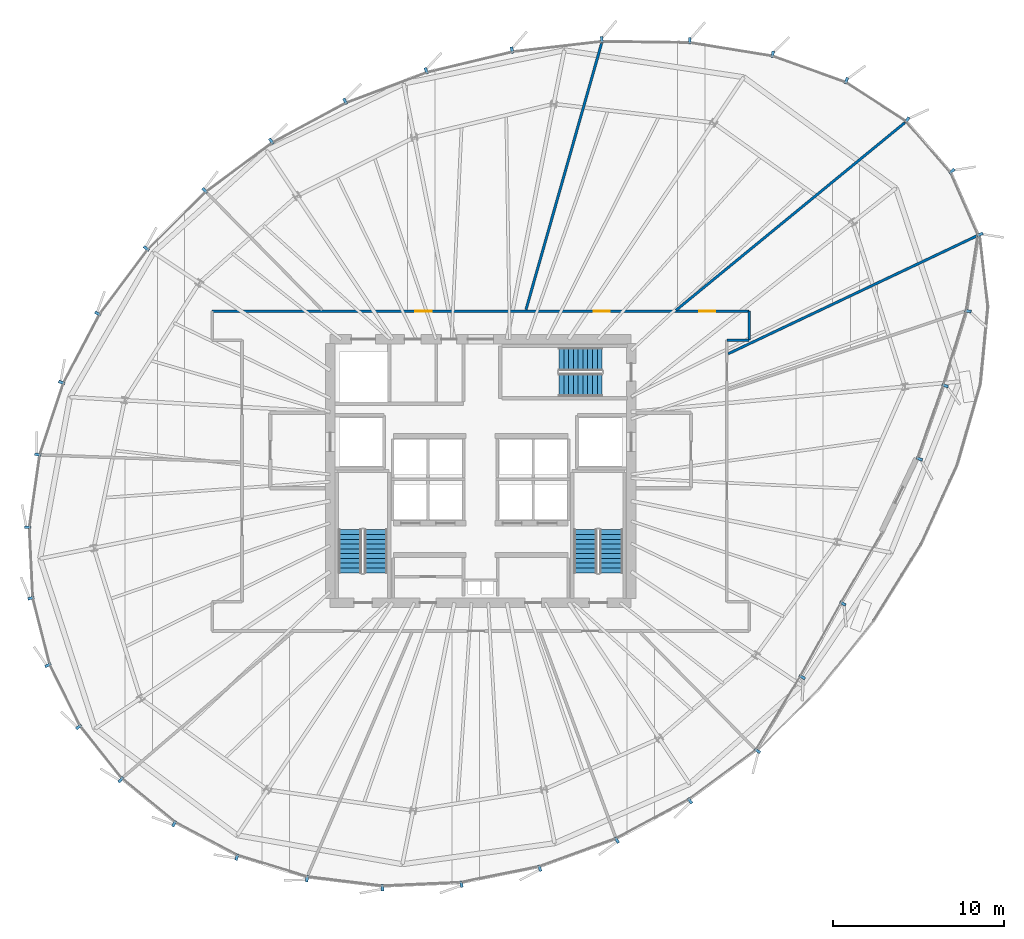
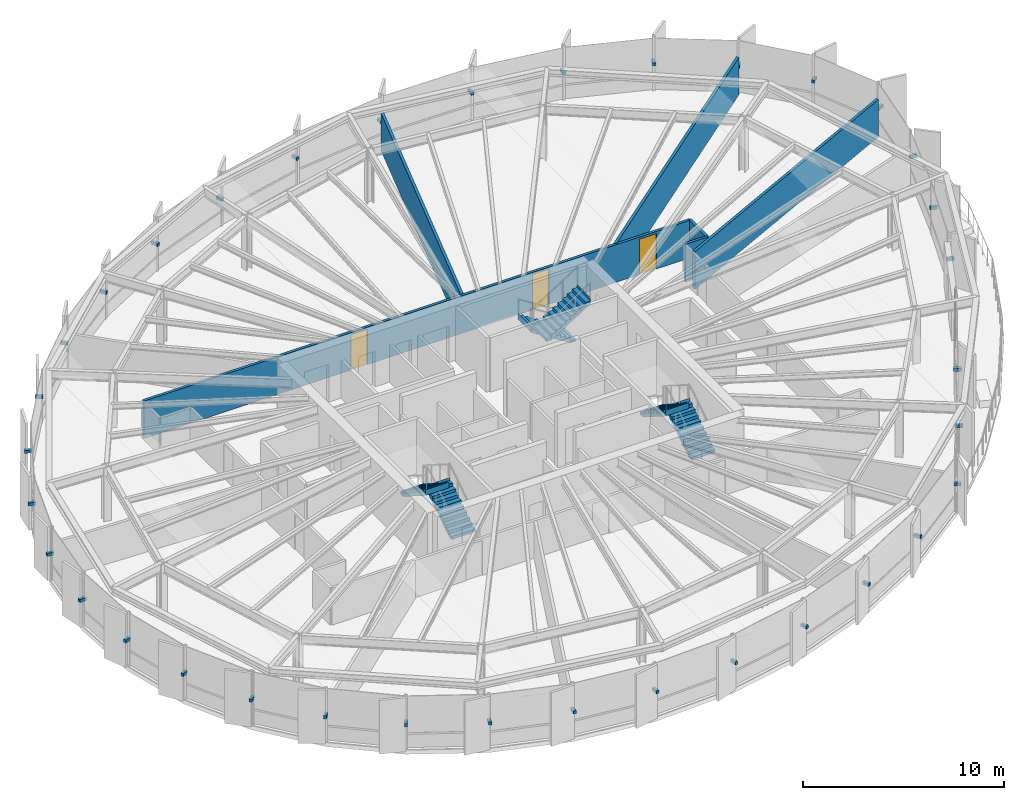
# One storey, part 32 of 36: 35 discrete accessories, 6 stair flights, 6 walls, 3 doors, 3 openings, 3 elements without a shape of their own.
"""IFC4 building model written with IfcOpenShell, lengths in metres."""

from ifc_helpers import new_model, si_unit, direction, frame, frame_2d, origin, origin_2d, place, context, subcontext, project, spatial, polyline, rectangle, outline, extrude, source, transform, mapped, material, layer, layer_set, type_object, element, fill, aggregate, save


model = new_model("IFC4")

# Units and contexts
model_context = context("Model", 3, precision=1e-05, world=origin(), true_north=direction((0.0, 1.0)))
body_context = subcontext(model_context, "Body", "Model", "MODEL_VIEW")
ifc_project = project(units=[si_unit("LENGTHUNIT", "METRE"), si_unit("AREAUNIT", "SQUARE_METRE"), si_unit("VOLUMEUNIT", "CUBIC_METRE"), si_unit("PLANEANGLEUNIT", "RADIAN"), si_unit("MASSUNIT", "GRAM", prefix="KILO"), si_unit("THERMODYNAMICTEMPERATUREUNIT", "KELVIN")], contexts=[model_context])

# Site, building, storey
site_placement = place(None, origin())
site = spatial("IfcSite", under=ifc_project, at=site_placement, CompositionType="ELEMENT")
building_placement = place(site_placement, origin())
building = spatial("IfcBuilding", under=site, at=building_placement, Name="Kethvar Cultural Tower", CompositionType="ELEMENT")
storey_placement = place(building_placement, frame((0.0, 0.0, 164.300048828125)))
storey = spatial("IfcBuildingStorey", under=building, at=storey_placement, Name="L42", CompositionType="ELEMENT", Elevation=164.300048828125)

# Walls
ifc_material_1 = material(Name="Gypsum Fireboard Partition")
ifc_layer_1 = layer(ifc_material_1, 0.14990234375, Name="Gypsum Fireboard Partition")
ifc_layer_set_1 = layer_set([ifc_layer_1], Name="Gypsum Fireboard Partition (150 mm)")
wall_type_1 = type_object("IfcWallType", Name="WL-FIRE-150", PredefinedType="PARTITIONING", material=ifc_layer_set_1)
wall_1_placement = place(storey_placement, frame((61.199951171875, 35.449951171875, 0.0), z_axis=(0.0, 0.0, 1.0), x_axis=(1.0, 0.0, 0.0)))
element("IfcWall", 1, at=wall_1_placement, inside=storey, type_object=wall_type_1, Name="L42 Corridor Rated Wall ENT", PredefinedType="PARTITIONING", context=body_context, shape_type="SweptSolid", body=[
    extrude(rectangle(XDim=1.300048828125, YDim=0.14990234375, at=frame_2d((0.64990234375, 0.0))), origin(), (0.0, 0.0, 1.0), 2.280029296875),
])
wall_2_placement = place(storey_placement, frame((62.5, 35.449951171875, 0.0), z_axis=(0.0, 0.0, 1.0), x_axis=(0.0, 1.0, 0.0)))
element("IfcWall", 2, at=wall_2_placement, inside=storey, type_object=wall_type_1, Name="L42 Corridor Rated Wall EN", PredefinedType="PARTITIONING", context=body_context, shape_type="SweptSolid", body=[
    extrude(rectangle(XDim=1.699951171875, YDim=0.14990234375, at=frame_2d((0.85009765625, 0.0))), origin(), (0.0, 0.0, 1.0), 2.280029296875),
])

# Wall, openings, doors
wall_3_placement = place(storey_placement, frame((62.5, 37.14990234375, 0.0), z_axis=(0.0, 0.0, 1.0), x_axis=(-1.0, 0.0, 0.0)))
wall_3 = element("IfcWall", 3, at=wall_3_placement, inside=storey, type_object=wall_type_1, Name="L42 Corridor Rated Wall N", PredefinedType="PARTITIONING", context=body_context, shape_type="SweptSolid", body=[
    extrude(rectangle(XDim=31.39990234375, YDim=0.14990234375, at=frame_2d((15.699951171875, 0.0))), origin(), (0.0, 0.0, 1.0), 2.280029296875),
])
opening_1_placement = place(wall_3_placement, frame((1.984130859375, 0.0, 0.0)))
opening_1 = element("IfcOpeningElement", 4, at=opening_1_placement, cuts=wall_3, Name="Opening D-L42-06", PredefinedType="OPENING", context=body_context, shape_type="SweptSolid", body=[
    extrude(rectangle(XDim=0.949951171875, YDim=2.14990234375, at=frame_2d((0.47509765625, 1.074951171875))), frame((0.0, 0.0849609375, 0.0), z_axis=(0.0, -1.0, 0.0), x_axis=(1.0, 0.0, 0.0)), (0.0, 0.0, 1.0), 0.169921875),
])
opening_2_placement = place(wall_3_placement, frame((8.149658203125, 0.0, 0.0)))
opening_2 = element("IfcOpeningElement", 5, at=opening_2_placement, cuts=wall_3, Name="Opening D-L42-07", PredefinedType="OPENING", context=body_context, shape_type="SweptSolid", body=[
    extrude(rectangle(XDim=0.949951171875, YDim=2.14990234375, at=frame_2d((0.47509765625, 1.074951171875))), frame((0.0, 0.0849609375, 0.0), z_axis=(0.0, -1.0, 0.0), x_axis=(1.0, 0.0, 0.0)), (0.0, 0.0, 1.0), 0.169921875),
])
opening_3_placement = place(wall_3_placement, frame((18.562255859375, 0.0, 0.0)))
opening_3 = element("IfcOpeningElement", 6, at=opening_3_placement, cuts=wall_3, Name="Opening D-L42-08", PredefinedType="OPENING", context=body_context, shape_type="SweptSolid", body=[
    extrude(rectangle(XDim=0.949951171875, YDim=2.14990234375, at=frame_2d((0.47509765625, 1.074951171875))), frame((0.0, 0.0849609375, 0.0), z_axis=(0.0, -1.0, 0.0), x_axis=(1.0, 0.0, 0.0)), (0.0, 0.0, 1.0), 0.169921875),
])
ifc_material_2 = material(Name="Architectural Oak Timber", Category="wood")
door_type = type_object("IfcDoorType", Name="DR-FD30-950", OperationType="NOTDEFINED", PredefinedType="DOOR", material=ifc_material_2)
shared_shape_1 = source(origin(), body_context, "Body", "SweptSolid", [
    extrude(rectangle(XDim=0.949951171875, YDim=2.14990234375, at=frame_2d((0.47509765625, 1.074951171875))), frame((0.0, 0.02490234375, 0.0), z_axis=(0.0, -1.0, 0.0), x_axis=(1.0, 0.0, 0.0)), (0.0, 0.0, 1.0), 0.050048828125),
])
door_1_placement = place(opening_1_placement, origin())
door_1 = element("IfcDoor", 7, at=door_1_placement, inside=storey, type_object=door_type, Name="L42 Staff Tea Pantry 06 Door", OperationType="SINGLE_SWING_RIGHT", OverallHeight=2.14990234375, OverallWidth=0.949951171875, PredefinedType="DOOR", context=body_context, shape_type="MappedRepresentation", body=[
    mapped(shared_shape_1, transform((0.0, 0.0, 0.0), scale=1.0)),
])
fill(opening_1, door_1)
door_2_placement = place(opening_2_placement, origin())
door_2 = element("IfcDoor", 8, at=door_2_placement, inside=storey, type_object=door_type, Name="L42 Publication Archive Store 07 Door", OperationType="SINGLE_SWING_LEFT", OverallHeight=2.14990234375, OverallWidth=0.949951171875, PredefinedType="DOOR", context=body_context, shape_type="MappedRepresentation", body=[
    mapped(shared_shape_1, transform((0.0, 0.0, 0.0), scale=1.0)),
])
fill(opening_2, door_2)
door_3_placement = place(opening_3_placement, origin())
door_3 = element("IfcDoor", 9, at=door_3_placement, inside=storey, type_object=door_type, Name="L42 Cultural Lecture Room 08 Door", OperationType="SINGLE_SWING_RIGHT", OverallHeight=2.14990234375, OverallWidth=0.949951171875, PredefinedType="DOOR", context=body_context, shape_type="MappedRepresentation", body=[
    mapped(shared_shape_1, transform((0.0, 0.0, 0.0), scale=1.0)),
])
fill(opening_3, door_3)

# Walls
ifc_material_3 = material(Name="Gypsum Acoustic Partition")
ifc_layer_2 = layer(ifc_material_3, 0.14990234375, Name="Gypsum Acoustic Partition")
ifc_layer_set_2 = layer_set([ifc_layer_2], Name="Gypsum Acoustic Partition (150 mm)")
wall_type_2 = type_object("IfcWallType", Name="WL-PART-150", PredefinedType="PARTITIONING", material=ifc_layer_set_2)
wall_4_placement = place(storey_placement, frame((61.272216796875, 34.65576171875, 0.0), z_axis=(0.0, 0.0, 1.0), x_axis=(0.903643729572, 0.428284963552, 0.0)))
element("IfcWall", 10, at=wall_4_placement, inside=storey, type_object=wall_type_2, Name="L42 Radial Partition Wall 06", PredefinedType="PARTITIONING", context=body_context, shape_type="SweptSolid", body=[
    extrude(rectangle(XDim=16.06201171875, YDim=0.14990234375, at=frame_2d((8.031005859375, 0.0))), origin(), (0.0, 0.0, 1.0), 2.280029296875),
])
wall_5_placement = place(storey_placement, frame((58.2236328125, 37.20068359375, 0.0), z_axis=(0.0, 0.0, 1.0), x_axis=(0.773366110677, 0.633959666585, 0.0)))
element("IfcWall", 11, at=wall_5_placement, inside=storey, type_object=wall_type_2, Name="L42 Radial Partition Wall 07", PredefinedType="PARTITIONING", context=body_context, shape_type="SweptSolid", body=[
    extrude(rectangle(XDim=17.286865234375, YDim=0.14990234375, at=frame_2d((8.6435546875, 0.0))), origin(), (0.0, 0.0, 1.0), 2.280029296875),
])
wall_6_placement = place(storey_placement, frame((49.449951171875, 37.22705078125, 0.0), z_axis=(0.0, 0.0, 1.0), x_axis=(0.273047629531, 0.962000515596, 0.0)))
element("IfcWall", 12, at=wall_6_placement, inside=storey, type_object=wall_type_2, Name="L42 Radial Partition Wall 08", PredefinedType="PARTITIONING", context=body_context, shape_type="SweptSolid", body=[
    extrude(rectangle(XDim=16.189208984375, YDim=0.14990234375, at=frame_2d((8.0947265625, 0.0))), origin(), (0.0, 0.0, 1.0), 2.280029296875),
])

# Stair, stair flights
ifc_material_4 = material(Name="Concrete C40/50", Category="concrete")
stair_type = type_object("IfcStairType", Name="ST-DOGLEG-135", PredefinedType="HALF_TURN_STAIR", material=ifc_material_4)
stair_1_placement = place(storey_placement, origin())
stair_1 = element("IfcStair", 13, at=stair_1_placement, inside=storey, type_object=stair_type, Name="L42 Core Exit Stair 1", PredefinedType="HALF_TURN_STAIR")
stair_flight_type = type_object("IfcStairFlightType", Name="FL-STRAIGHT-135", PredefinedType="STRAIGHT", material=ifc_material_4)
stair_flight_1_placement = place(storey_placement, frame((40.675048828125, 21.85009765625, 0.0), z_axis=(0.0, 0.0, 1.0), x_axis=(0.0, 1.0, 0.0)))
stair_flight_1 = element("IfcStairFlight", 14, at=stair_flight_1_placement, type_object=stair_flight_type, Name="ST-01 flight 1", NumberOfRisers=10, NumberOfTreads=9, PredefinedType="STRAIGHT", RiserHeight=0.1775, TreadLength=0.28, context=body_context, shape_type="SweptSolid", body=[
    extrude(outline(polyline([(-0.0009765625, -0.0009765625), (-0.0009765625, 0.177490234375), (0.280029296875, 0.177490234375), (0.280029296875, 0.35498046875), (0.56005859375, 0.35498046875), (0.56005859375, 0.532470703125), (0.840087890625, 0.532470703125), (0.840087890625, 0.7099609375), (1.1201171875, 0.7099609375), (1.1201171875, 0.887451171875), (1.39990234375, 0.887451171875), (1.39990234375, 1.06494140625), (1.679931640625, 1.06494140625), (1.679931640625, 1.242431640625), (1.9599609375, 1.242431640625), (1.9599609375, 1.419921875), (2.239990234375, 1.419921875), (2.239990234375, 1.597412109375), (2.52001953125, 1.597412109375), (2.52001953125, 1.77490234375), (2.52099609375, 1.77490234375), (2.52099609375, 1.419921875), (0.280029296875, 0.0), (0.0, -0.0009765625), (-0.0009765625, -0.0009765625)])), frame((0.0, 0.675048828125, 0.0), z_axis=(0.0, -1.0, 0.0), x_axis=(1.0, 0.0, 0.0)), (0.0, 0.0, 1.0), 1.35009765625),
])
stair_flight_2_placement = place(storey_placement, frame((39.1650390625, 24.3701171875, 1.77490234375), z_axis=(0.0, 0.0, 1.0), x_axis=(0.0, -1.0, 0.0)))
stair_flight_2 = element("IfcStairFlight", 15, at=stair_flight_2_placement, type_object=stair_flight_type, Name="ST-01 flight 2", NumberOfRisers=10, NumberOfTreads=9, PredefinedType="STRAIGHT", RiserHeight=0.1775, TreadLength=0.28, context=body_context, shape_type="SweptSolid", body=[
    extrude(outline(polyline([(-0.0009765625, -0.0009765625), (-0.0009765625, 0.177490234375), (0.280029296875, 0.177490234375), (0.280029296875, 0.35498046875), (0.56005859375, 0.35498046875), (0.56005859375, 0.532470703125), (0.840087890625, 0.532470703125), (0.840087890625, 0.7099609375), (1.1201171875, 0.7099609375), (1.1201171875, 0.887451171875), (1.39990234375, 0.887451171875), (1.39990234375, 1.06494140625), (1.679931640625, 1.06494140625), (1.679931640625, 1.242431640625), (1.9599609375, 1.242431640625), (1.9599609375, 1.419921875), (2.239990234375, 1.419921875), (2.239990234375, 1.597412109375), (2.52001953125, 1.597412109375), (2.52001953125, 1.77490234375), (2.52099609375, 1.77490234375), (2.52099609375, 1.419921875), (0.280029296875, 0.0), (0.0, -0.0009765625), (-0.0009765625, -0.0009765625)])), frame((0.0, 0.675048828125, 0.0), z_axis=(0.0, -1.0, 0.0), x_axis=(1.0, 0.0, 0.0)), (0.0, 0.0, 1.0), 1.35009765625),
])
aggregate(stair_1, [stair_flight_1, stair_flight_2])

stair_2_placement = place(storey_placement, origin())
stair_2 = element("IfcStair", 16, at=stair_2_placement, inside=storey, type_object=stair_type, Name="L42 Core Exit Stair 2", PredefinedType="HALF_TURN_STAIR")
stair_flight_3_placement = place(storey_placement, frame((54.43505859375, 21.85009765625, 0.0), z_axis=(0.0, 0.0, 1.0), x_axis=(0.0, 1.0, 0.0)))
stair_flight_3 = element("IfcStairFlight", 17, at=stair_flight_3_placement, type_object=stair_flight_type, Name="ST-02 flight 1", NumberOfRisers=10, NumberOfTreads=9, PredefinedType="STRAIGHT", RiserHeight=0.1775, TreadLength=0.28, context=body_context, shape_type="SweptSolid", body=[
    extrude(outline(polyline([(-0.0009765625, -0.0009765625), (-0.0009765625, 0.177490234375), (0.280029296875, 0.177490234375), (0.280029296875, 0.35498046875), (0.56005859375, 0.35498046875), (0.56005859375, 0.532470703125), (0.840087890625, 0.532470703125), (0.840087890625, 0.7099609375), (1.1201171875, 0.7099609375), (1.1201171875, 0.887451171875), (1.39990234375, 0.887451171875), (1.39990234375, 1.06494140625), (1.679931640625, 1.06494140625), (1.679931640625, 1.242431640625), (1.9599609375, 1.242431640625), (1.9599609375, 1.419921875), (2.239990234375, 1.419921875), (2.239990234375, 1.597412109375), (2.52001953125, 1.597412109375), (2.52001953125, 1.77490234375), (2.52099609375, 1.77490234375), (2.52099609375, 1.419921875), (0.280029296875, 0.0), (0.0, -0.0009765625), (-0.0009765625, -0.0009765625)])), frame((0.0, 0.675048828125, 0.0), z_axis=(0.0, -1.0, 0.0), x_axis=(1.0, 0.0, 0.0)), (0.0, 0.0, 1.0), 1.35009765625),
])
stair_flight_4_placement = place(storey_placement, frame((52.925048828125, 24.3701171875, 1.77490234375), z_axis=(0.0, 0.0, 1.0), x_axis=(0.0, -1.0, 0.0)))
stair_flight_4 = element("IfcStairFlight", 18, at=stair_flight_4_placement, type_object=stair_flight_type, Name="ST-02 flight 2", NumberOfRisers=10, NumberOfTreads=9, PredefinedType="STRAIGHT", RiserHeight=0.1775, TreadLength=0.28, context=body_context, shape_type="SweptSolid", body=[
    extrude(outline(polyline([(-0.0009765625, -0.0009765625), (-0.0009765625, 0.177490234375), (0.280029296875, 0.177490234375), (0.280029296875, 0.35498046875), (0.56005859375, 0.35498046875), (0.56005859375, 0.532470703125), (0.840087890625, 0.532470703125), (0.840087890625, 0.7099609375), (1.1201171875, 0.7099609375), (1.1201171875, 0.887451171875), (1.39990234375, 0.887451171875), (1.39990234375, 1.06494140625), (1.679931640625, 1.06494140625), (1.679931640625, 1.242431640625), (1.9599609375, 1.242431640625), (1.9599609375, 1.419921875), (2.239990234375, 1.419921875), (2.239990234375, 1.597412109375), (2.52001953125, 1.597412109375), (2.52001953125, 1.77490234375), (2.52099609375, 1.77490234375), (2.52099609375, 1.419921875), (0.280029296875, 0.0), (0.0, -0.0009765625), (-0.0009765625, -0.0009765625)])), frame((0.0, 0.675048828125, 0.0), z_axis=(0.0, -1.0, 0.0), x_axis=(1.0, 0.0, 0.0)), (0.0, 0.0, 1.0), 1.35009765625),
])
aggregate(stair_2, [stair_flight_3, stair_flight_4])

stair_3_placement = place(storey_placement, origin())
stair_3 = element("IfcStair", 19, at=stair_3_placement, inside=storey, type_object=stair_type, Name="L42 Core Exit Stair 3", PredefinedType="HALF_TURN_STAIR")
stair_flight_5_placement = place(storey_placement, frame((53.89990234375, 34.3349609375, 0.0), z_axis=(0.0, 0.0, 1.0), x_axis=(-1.0, 0.0, 0.0)))
stair_flight_5 = element("IfcStairFlight", 20, at=stair_flight_5_placement, type_object=stair_flight_type, Name="ST-03 flight 1", NumberOfRisers=10, NumberOfTreads=9, PredefinedType="STRAIGHT", RiserHeight=0.1775, TreadLength=0.28, context=body_context, shape_type="SweptSolid", body=[
    extrude(outline(polyline([(-0.0009765625, -0.0009765625), (-0.0009765625, 0.177490234375), (0.280029296875, 0.177490234375), (0.280029296875, 0.35498046875), (0.56005859375, 0.35498046875), (0.56005859375, 0.532470703125), (0.840087890625, 0.532470703125), (0.840087890625, 0.7099609375), (1.1201171875, 0.7099609375), (1.1201171875, 0.887451171875), (1.39990234375, 0.887451171875), (1.39990234375, 1.06494140625), (1.679931640625, 1.06494140625), (1.679931640625, 1.242431640625), (1.9599609375, 1.242431640625), (1.9599609375, 1.419921875), (2.239990234375, 1.419921875), (2.239990234375, 1.597412109375), (2.52001953125, 1.597412109375), (2.52001953125, 1.77490234375), (2.52099609375, 1.77490234375), (2.52099609375, 1.419921875), (0.280029296875, 0.0), (0.0, -0.0009765625), (-0.0009765625, -0.0009765625)])), frame((0.0, 0.675048828125, 0.0), z_axis=(0.0, -1.0, 0.0), x_axis=(1.0, 0.0, 0.0)), (0.0, 0.0, 1.0), 1.35009765625),
])
stair_flight_6_placement = place(storey_placement, frame((51.3798828125, 32.824951171875, 1.77490234375), z_axis=(0.0, 0.0, 1.0), x_axis=(1.0, 0.0, 0.0)))
stair_flight_6 = element("IfcStairFlight", 21, at=stair_flight_6_placement, type_object=stair_flight_type, Name="ST-03 flight 2", NumberOfRisers=10, NumberOfTreads=9, PredefinedType="STRAIGHT", RiserHeight=0.1775, TreadLength=0.28, context=body_context, shape_type="SweptSolid", body=[
    extrude(outline(polyline([(-0.0009765625, -0.0009765625), (-0.0009765625, 0.177490234375), (0.280029296875, 0.177490234375), (0.280029296875, 0.35498046875), (0.56005859375, 0.35498046875), (0.56005859375, 0.532470703125), (0.840087890625, 0.532470703125), (0.840087890625, 0.7099609375), (1.1201171875, 0.7099609375), (1.1201171875, 0.887451171875), (1.39990234375, 0.887451171875), (1.39990234375, 1.06494140625), (1.679931640625, 1.06494140625), (1.679931640625, 1.242431640625), (1.9599609375, 1.242431640625), (1.9599609375, 1.419921875), (2.239990234375, 1.419921875), (2.239990234375, 1.597412109375), (2.52001953125, 1.597412109375), (2.52001953125, 1.77490234375), (2.52099609375, 1.77490234375), (2.52099609375, 1.419921875), (0.280029296875, 0.0), (0.0, -0.0009765625), (-0.0009765625, -0.0009765625)])), frame((0.0, 0.675048828125, 0.0), z_axis=(0.0, -1.0, 0.0), x_axis=(1.0, 0.0, 0.0)), (0.0, 0.0, 1.0), 1.35009765625),
])
aggregate(stair_3, [stair_flight_5, stair_flight_6])

# Discrete accessories
ifc_material_5 = material(Name="Steel S355J2", Category="steel")
discrete_accessory_type = type_object("IfcDiscreteAccessoryType", Name="Steel Fin Bracket BRK-01", PredefinedType="BRACKET", material=ifc_material_5)
shared_shape_2 = source(origin(), body_context, "Body", "SweptSolid", [
    extrude(rectangle(XDim=0.3798828125, YDim=0.159912109375, at=origin_2d()), origin(), (0.0, 0.0, 1.0), 0.179931640625),
])
for number, where, z_axis, x_axis, name in (
    (22, (74.344970703125, 45.327880859375, 1.56005859375), (0.0, 0.0, 1.0), (0.754136773416, 0.656717387452, 0.0), "L42 Terracotta Fin Bracket 1.1"),
    (23, (71.735107421875, 48.32373046875, 1.56005859375), (0.0, 0.0, 1.0), (0.543320982988, 0.839525049921, 0.0), "L42 Terracotta Fin Bracket 1.2"),
    (24, (68.181640625, 50.623046875, 1.56005859375), (0.0, 0.0, 1.0), (0.336766602676, 0.941588155895, 0.0), "L42 Terracotta Fin Bracket 1.3"),
    (25, (63.875244140625, 52.16259765625, 1.56005859375), (0.0, 0.0, 1.0), (0.160225753504, 0.987080395872, 0.0), "L42 Terracotta Fin Bracket 1.4"),
    (26, (59.02978515625, 52.948974609375, 1.56005859375), (0.0, 0.0, 1.0), (0.013089595571, 0.999914327574, 0.0), "L42 Terracotta Fin Bracket 1.5"),
    (27, (53.8837890625, 53.016357421875, 1.56005859375), (0.0, 0.0, 1.0), (-0.114590390988, 0.993412825714, 0.0), "L42 Terracotta Fin Bracket 1.6"),
    (28, (48.638916015625, 52.40625, 1.56005859375), (0.0, 0.0, 1.0), (-0.233954463532, 0.972247555406, 0.0), "L42 Terracotta Fin Bracket 2.1"),
    (29, (43.621337890625, 51.19921875, 1.56005859375), (0.0, 0.0, 1.0), (-0.35282169456, 0.935690574842, 0.0), "L42 Terracotta Fin Bracket 2.2"),
    (30, (38.88330078125, 49.412353515625, 1.56005859375), (0.0, 0.0, 1.0), (-0.474856389871, 0.880063298291, 0.0), "L42 Terracotta Fin Bracket 2.3"),
    (31, (34.56298828125, 47.081298828125, 1.56005859375), (0.0, 0.0, 1.0), (-0.594822786751, 0.803856860617, 0.0), "L42 Terracotta Fin Bracket 2.4"),
    (32, (30.665283203125, 44.196533203125, 1.56005859375), (0.0, 0.0, 1.0), (-0.704510355776, 0.709693707598, 0.0), "L42 Terracotta Fin Bracket 2.5"),
    (33, (27.257568359375, 40.813720703125, 1.56005859375), (0.0, 0.0, 1.0), (-0.801984205923, 0.597345238075, 0.0), "L42 Terracotta Fin Bracket 2.6"),
    (34, (24.42529296875, 37.001220703125, 1.56005859375), (0.0, 0.0, 1.0), (-0.885068889048, 0.465460053753, 0.0), "L42 Terracotta Fin Bracket 3.1"),
    (35, (22.308837890625, 32.976806640625, 1.56005859375), (0.0, 0.0, 1.0), (-0.949644454342, 0.31332955548, 0.0), "L42 Terracotta Fin Bracket 3.2"),
    (36, (20.918212890625, 28.760498046875, 1.56005859375), (0.0, 0.0, 1.0), (-0.990023657717, 0.140901231938, 0.0), "L42 Terracotta Fin Bracket 3.3"),
    (37, (20.31396484375, 24.514892578125, 1.56005859375), (0.0, 0.0, 1.0), (-0.998831578106, -0.048326789453, 0.0), "L42 Terracotta Fin Bracket 3.4"),
    (38, (20.5146484375, 20.369140625, 1.56005859375), (0.0, 0.0, 1.0), (-0.969015731407, -0.246999012723, 0.0), "L42 Terracotta Fin Bracket 3.5"),
    (39, (21.513916015625, 16.448974609375, 1.56005859375), (0.0, 0.0, 1.0), (-0.896409086219, -0.443227650474, 0.0), "L42 Terracotta Fin Bracket 3.6"),
    (40, (23.306396484375, 12.843017578125, 1.56005859375), (0.0, 0.0, 1.0), (-0.782716794233, -0.622378036266, 0.0), "L42 Terracotta Fin Bracket 4.1"),
    (41, (25.764404296875, 9.752197265625, 1.56005859375), (0.0, 0.0, 1.0), (-0.636078220278, -0.771624583388, 0.0), "L42 Terracotta Fin Bracket 4.2"),
    (42, (28.88623046875, 7.17919921875, 1.56005859375), (0.0, 0.0, 1.0), (-0.469009188174, -0.883193286551, 0.0), "L42 Terracotta Fin Bracket 4.3"),
    (43, (32.552001953125, 5.232666015625, 1.56005859375), (0.0, 0.0, 1.0), (-0.294040325232, -0.955793014798, 0.0), "L42 Terracotta Fin Bracket 4.4"),
    (44, (36.65087890625, 3.97216796875, 1.56005859375), (0.0, 0.0, 1.0), (-0.120829884873, -0.992673228672, 0.0), "L42 Terracotta Fin Bracket 4.5"),
    (45, (41.057861328125, 3.435546875, 1.56005859375), (0.0, 0.0, 1.0), (0.044316843913, -0.999017526045, 0.0), "L42 Terracotta Fin Bracket 4.6"),
    (46, (45.677490234375, 3.64697265625, 1.56005859375), (0.0, 0.0, 1.0), (0.199025864028, -0.979994237457, 0.0), "L42 Terracotta Fin Bracket 5.1"),
    (47, (50.256103515625, 4.576904296875, 1.56005859375), (0.0, 0.0, 1.0), (0.342184145417, -0.939632912698, 0.0), "L42 Terracotta Fin Bracket 5.2"),
    (48, (54.767578125, 6.22021484375, 1.56005859375), (0.0, 0.0, 1.0), (0.474088209047, -0.880477353509, 0.0), "L42 Terracotta Fin Bracket 5.3"),
    (49, (59.037109375, 8.518798828125, 1.56005859375), (0.0, 0.0, 1.0), (0.594121062902, -0.80437563527, 0.0), "L42 Terracotta Fin Bracket 5.4"),
    (50, (62.9873046875, 11.437744140625, 1.56005859375), (0.0, 0.0, 1.0), (0.855635381204, -0.517579070704, 0.0), "L42 Terracotta Fin Bracket 5.5"),
    (51, (65.596435546875, 15.751708984375, 1.56005859375), (0.0, 0.0, 1.0), (0.87512691893, -0.483893454972, 0.0), "L42 Terracotta Fin Bracket 5.6"),
    (52, (67.976318359375, 20.053955078125, 1.56005859375), (0.0, 0.0, 1.0), (0.86313126222, -0.504979627488, 0.0), "L42 Terracotta Fin Bracket 6.1"),
    (53, (72.446533203125, 28.506103515625, 1.56005859375), (0.0, 0.0, 1.0), (0.943222657948, -0.332161131884, 0.0), "L42 Terracotta Fin Bracket 7.1"),
    (54, (73.9541015625, 32.7861328125, 1.56005859375), (0.0, 0.0, 1.0), (0.956049249417, -0.293206126622, 0.0), "L42 Terracotta Fin Bracket 7.2"),
    (55, (75.292236328125, 37.15087890625, 1.56005859375), (0.0, 0.0, 1.0), (0.988121336368, -0.153675712507, 0.0), "L42 Terracotta Fin Bracket 7.3"),
    (56, (75.98681640625, 41.6259765625, 1.56005859375), (0.0, 0.0, 1.0), (0.915311479119, 0.402746689859, 0.0), "L42 Terracotta Fin Bracket 7.4"),
):
    element("IfcDiscreteAccessory", number, at=place(storey_placement, frame(where, z_axis=z_axis, x_axis=x_axis)), inside=storey, type_object=discrete_accessory_type, Name=name, PredefinedType="BRACKET", context=body_context, shape_type="MappedRepresentation", body=[
        mapped(shared_shape_2, transform((0.0, 0.0, 0.0), scale=1.0)),
    ])

save(model, "model.ifc")
